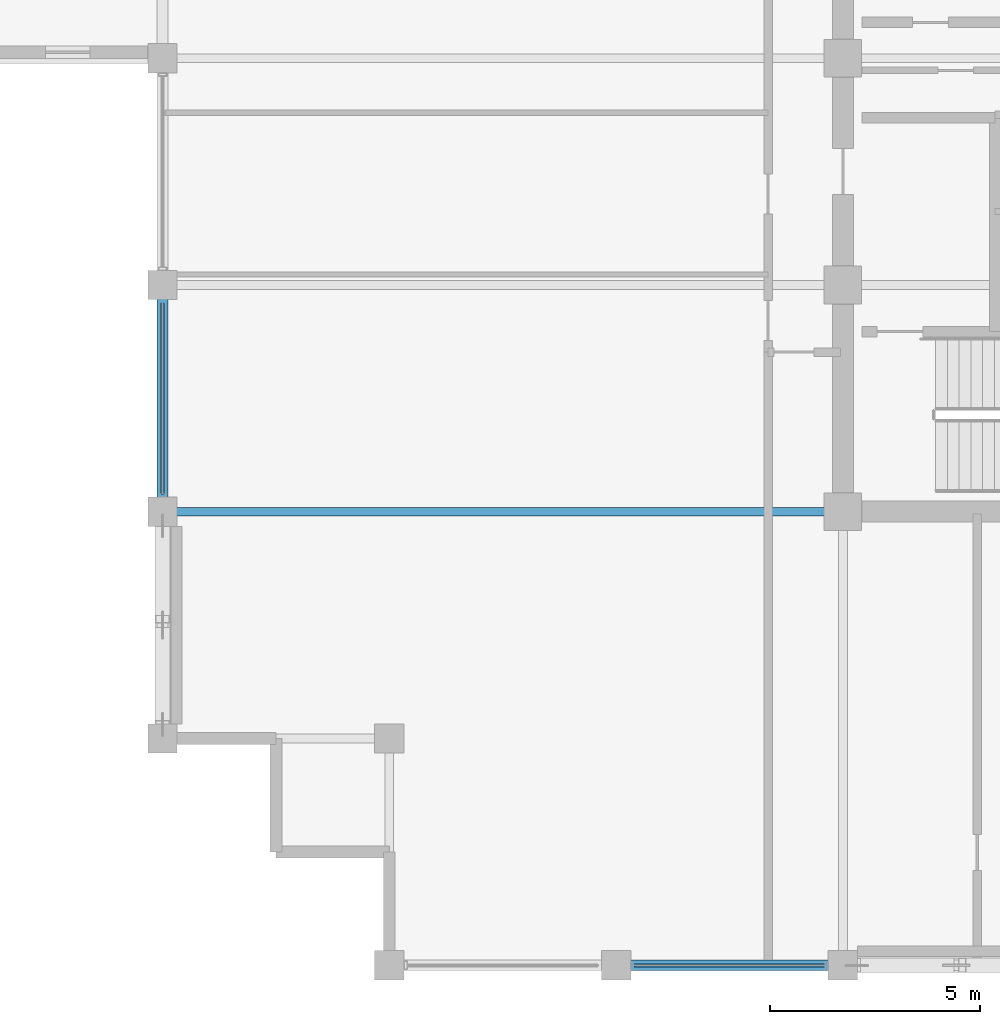
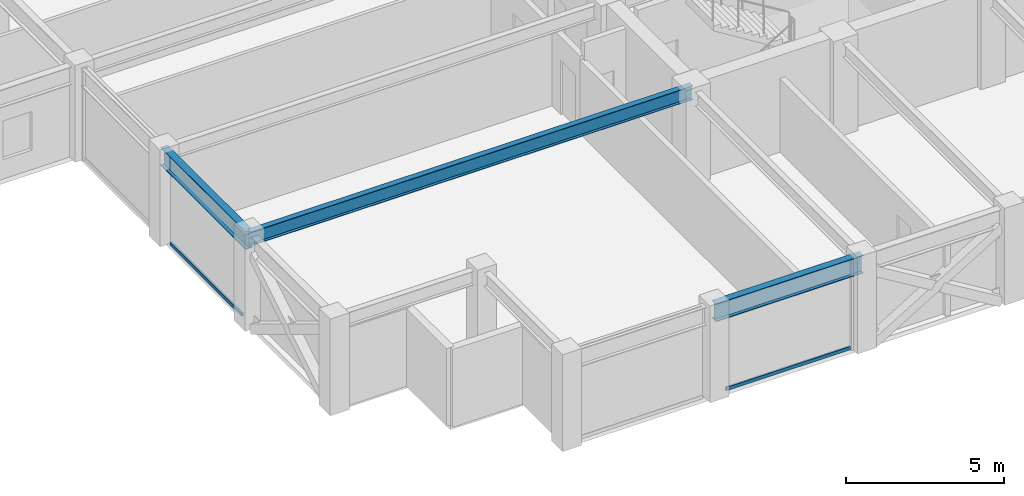
# One storey, part 3 of 31: 3 beams, 2 members, 2 elements without a shape of their own.
"""IFC4 building model written with IfcOpenShell, lengths in metres."""

from ifc_helpers import new_model, si_unit, direction, frame, origin, origin_2d, place, context, subcontext, project, spatial, hollow_rectangle, i_section, extrude, material, layer, layer_set, material_profile, profile_set, type_object, element, aggregate, save


model = new_model("IFC4")

# Units and contexts
model_context = context("Model", 3, precision=1e-05, world=origin(), true_north=direction((0.0, 1.0)))
body_context = subcontext(model_context, "Body", "Model", "MODEL_VIEW")
ifc_project = project(units=[si_unit("LENGTHUNIT", "METRE"), si_unit("AREAUNIT", "SQUARE_METRE"), si_unit("VOLUMEUNIT", "CUBIC_METRE"), si_unit("PLANEANGLEUNIT", "RADIAN"), si_unit("MASSUNIT", "GRAM", prefix="KILO")], contexts=[model_context])

# Site, building, storey
site_placement = place(None, origin())
site = spatial("IfcSite", under=ifc_project, at=site_placement, CompositionType="ELEMENT")
building_placement = place(site_placement, origin())
building = spatial("IfcBuilding", under=site, at=building_placement, Name="Surkhivell Harbour Commons", CompositionType="ELEMENT")
storey_placement = place(building_placement, frame((0.0, 0.0, 322.5)))
storey = spatial("IfcBuildingStorey", under=building, at=storey_placement, Name="L84", CompositionType="ELEMENT", Elevation=322.5)

# Beams
ifc_material_1 = material(Name="Steel S355", Category="steel")
ifc_material_profile_1 = material_profile(ifc_material_1, i_section(OverallWidth=0.2099609375, OverallDepth=0.537109375, WebThickness=0.0107421875, FlangeThickness=0.017333984375, at=origin_2d()), Name="UB533x210x101")
ifc_profile_set_1 = profile_set([ifc_material_profile_1], Name="Steel S355")
beam_type_1 = type_object("IfcBeamType", Name="BM-GRD-533B", PredefinedType="BEAM", material=ifc_profile_set_1)
beam_1_placement = place(storey_placement, frame((-27.0, -10.800048828125, 3.301513671875), z_axis=(1.0, 0.0, 0.0), x_axis=(0.0, 1.0, 0.0)))
element("IfcBeam", 1, at=beam_1_placement, inside=storey, type_object=beam_type_1, Name="L84 Floor Girder (-27.0,-10.8)", PredefinedType="BEAM", context=body_context, shape_type="SweptSolid", body=[
    extrude(i_section(OverallWidth=0.2099609375, OverallDepth=0.537109375, WebThickness=0.0107421875, FlangeThickness=0.017333984375, at=origin_2d()), origin(), (0.0, 0.0, 1.0), 16.199951171875),
])
ifc_material_profile_2 = material_profile(ifc_material_1, i_section(OverallWidth=0.256103515625, OverallDepth=0.693115234375, WebThickness=0.014404296875, FlangeThickness=0.023681640625, at=origin_2d()), Name="UB686x254x170")
ifc_profile_set_2 = profile_set([ifc_material_profile_2], Name="Steel S355")
beam_type_2 = type_object("IfcBeamType", Name="BM-SPN-686", PredefinedType="SPANDREL", material=ifc_profile_set_2)
beam_2_placement = place(storey_placement, frame((-27.0, -10.800048828125, 3.223388671875), z_axis=(0.0, 1.0, 0.0), x_axis=(-1.0, 0.0, 0.0)))
element("IfcBeam", 2, at=beam_2_placement, inside=storey, type_object=beam_type_2, Name="L84 Tube Spandrel (-27.0,-10.8)", PredefinedType="SPANDREL", context=body_context, shape_type="SweptSolid", body=[
    extrude(i_section(OverallWidth=0.256103515625, OverallDepth=0.693115234375, WebThickness=0.014404296875, FlangeThickness=0.023681640625, at=origin_2d()), origin(), (0.0, 0.0, 1.0), 5.400146484375),
])
beam_3_placement = place(storey_placement, frame((-16.199951171875, -21.60009765625, 3.223388671875), z_axis=(1.0, 0.0, 0.0), x_axis=(0.0, 1.0, 0.0)))
element("IfcBeam", 3, at=beam_3_placement, inside=storey, type_object=beam_type_2, Name="L84 Tube Spandrel (-16.2,-21.6)", PredefinedType="SPANDREL", context=body_context, shape_type="SweptSolid", body=[
    extrude(i_section(OverallWidth=0.256103515625, OverallDepth=0.693115234375, WebThickness=0.014404296875, FlangeThickness=0.023681640625, at=origin_2d()), origin(), (0.0, 0.0, 1.0), 5.39990234375),
])

# Curtain wall, member
ifc_material_2 = material(Name="Anodised pale-metal aluminium and insulated glazing", Category="aluminium")
ifc_layer = layer(ifc_material_2, 0.175048828125)
ifc_layer_set = layer_set([ifc_layer], Name="Anodised pale-metal aluminium and insulated glazing")
curtain_wall_type = type_object("IfcCurtainWallType", Name="CW-SYS-Z4", PredefinedType="NOTDEFINED", material=ifc_layer_set)
curtain_wall_1_placement = place(storey_placement, origin())
curtain_wall_1 = element("IfcCurtainWall", 4, at=curtain_wall_1_placement, inside=storey, type_object=curtain_wall_type, Name="L84 Curtain Wall CW-L84-E00S1", PredefinedType="NOTDEFINED")
ifc_material_3 = material(Name="Champagne anodised aluminium alloy 6063-T6", Category="aluminium")
ifc_material_profile_3 = material_profile(ifc_material_3, hollow_rectangle(XDim=0.070068359375, YDim=0.1298828125, WallThickness=0.00341796875, at=origin_2d()), Name="ALU-TRAN-70x130")
ifc_profile_set_3 = profile_set([ifc_material_profile_3], Name="Champagne anodised aluminium alloy 6063-T6")
member_type = type_object("IfcMemberType", Name="CWT-130", PredefinedType="USERDEFINED", material=ifc_profile_set_3)
member_1_placement = place(storey_placement, frame((-15.77294921875, -21.60009765625, 0.06494140625), z_axis=(1.0, 0.0, 0.0), x_axis=(0.0, 1.0, 0.0)))
member_1 = element("IfcMember", 5, at=member_1_placement, type_object=member_type, Name="CW-Z4 transom 2.1", ObjectType="TRANSOM", PredefinedType="USERDEFINED", context=body_context, shape_type="SweptSolid", body=[
    extrude(hollow_rectangle(XDim=0.070068359375, YDim=0.1298828125, WallThickness=0.00341796875, at=origin_2d()), origin(), (0.0, 0.0, 1.0), 4.5458984375),
])
aggregate(curtain_wall_1, [member_1])

curtain_wall_2_placement = place(storey_placement, origin())
curtain_wall_2 = element("IfcCurtainWall", 6, at=curtain_wall_2_placement, inside=storey, type_object=curtain_wall_type, Name="L84 Curtain Wall CW-L84-E12R1S1", PredefinedType="NOTDEFINED")
member_2_placement = place(storey_placement, frame((-27.0, -10.373046875, 0.06494140625), z_axis=(0.0, 1.0, 0.0), x_axis=(-1.0, 0.0, 0.0)))
member_2 = element("IfcMember", 7, at=member_2_placement, type_object=member_type, Name="CW-Z4 transom 1.1", ObjectType="TRANSOM", PredefinedType="USERDEFINED", context=body_context, shape_type="SweptSolid", body=[
    extrude(hollow_rectangle(XDim=0.070068359375, YDim=0.1298828125, WallThickness=0.00341796875, at=origin_2d()), origin(), (0.0, 0.0, 1.0), 4.546142578125),
])
aggregate(curtain_wall_2, [member_2])

save(model, "model.ifc")
